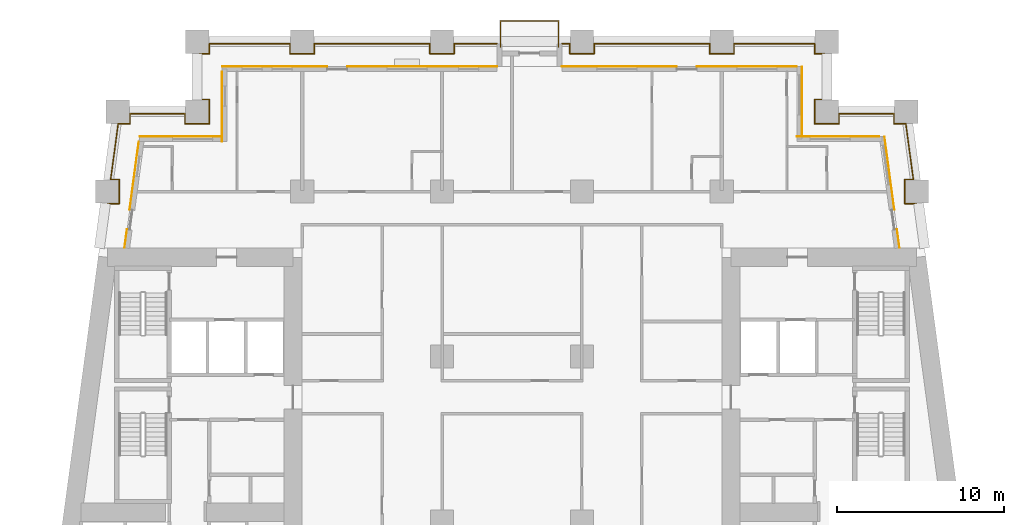
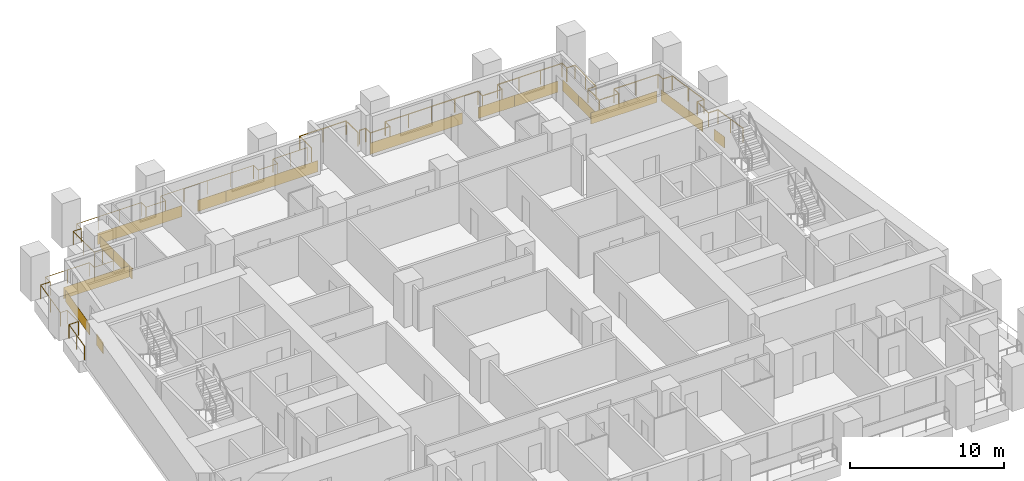
# One storey, part 11 of 12: 16 coverings, 3 railings.
"""IFC4 building model written with IfcOpenShell, lengths in metres."""

from ifc_helpers import new_model, si_unit, direction, frame, origin, origin_2d, place, context, subcontext, project, spatial, rectangle, circle, extrude, material, layer, layer_set, type_object, element, save


model = new_model("IFC4")

# Units and contexts
model_context = context("Model", 3, precision=1e-05, world=origin(), true_north=direction((0.0, 1.0)))
body_context = subcontext(model_context, "Body", "Model", "MODEL_VIEW")
ifc_project = project(units=[si_unit("LENGTHUNIT", "METRE"), si_unit("AREAUNIT", "SQUARE_METRE"), si_unit("VOLUMEUNIT", "CUBIC_METRE"), si_unit("PLANEANGLEUNIT", "RADIAN"), si_unit("MASSUNIT", "GRAM", prefix="KILO")], contexts=[model_context])

# Site, building, storey
site_placement = place(None, origin())
site = spatial("IfcSite", under=ifc_project, at=site_placement, CompositionType="ELEMENT")
building_placement = place(site_placement, origin())
building = spatial("IfcBuilding", under=site, at=building_placement, Name="Candeia Pilgrim Tower and Theatre", CompositionType="ELEMENT")
storey_placement = place(building_placement, frame((0.0, 0.0, 42.5)))
storey = spatial("IfcBuildingStorey", under=building, at=storey_placement, Name="L07", CompositionType="ELEMENT", Elevation=42.5)

# Railings
ifc_material_1 = material(Name="Stainless steel balustrade", Category="steel")
railing_type = type_object("IfcRailingType", Name="G1 loggia guard 1100", PredefinedType="GUARDRAIL", material=ifc_material_1)
railing_1_placement = place(storey_placement, frame((88.758544921875, 132.449951171875, 0.0)))
element("IfcRailing", 1, at=railing_1_placement, inside=storey, type_object=railing_type, Name="Guard L07.2", PredefinedType="GUARDRAIL", context=body_context, shape_type="SweptSolid", body=[
    extrude(circle(Radius=0.02392578125, at=origin_2d()), frame((0.0, 0.0, 1.076171875), z_axis=(0.133439920495, 0.991056904329, 0.0), x_axis=(-0.991056904329, 0.133439920495, 0.0)), (0.0, 0.0, 1.0), 2.643798828125),
    extrude(circle(Radius=0.02392578125, at=origin_2d()), frame((0.352783203125, 2.6201171875, 1.076171875), z_axis=(1.0, 0.0, 0.0), x_axis=(0.0, 1.0, 0.0)), (0.0, 0.0, 1.0), 0.70703125),
    extrude(circle(Radius=0.02392578125, at=origin_2d()), frame((1.059814453125, 2.6201171875, 1.076171875), z_axis=(0.0, 1.0, 0.0), x_axis=(-1.0, 0.0, 0.0)), (0.0, 0.0, 1.0), 1.4599609375),
    extrude(circle(Radius=0.02392578125, at=origin_2d()), frame((1.059814453125, 4.080078125, 1.076171875), z_axis=(-1.0, 0.0, 0.0), x_axis=(0.0, -1.0, 0.0)), (0.0, 0.0, 1.0), 0.510498046875),
    extrude(circle(Radius=0.02392578125, at=origin_2d()), frame((0.54931640625, 4.080078125, 1.076171875), z_axis=(0.133364121373, 0.991067107279, 0.0), x_axis=(-0.991067107279, 0.133364121373, 0.0)), (0.0, 0.0, 1.0), 3.3701171875),
    extrude(circle(Radius=0.02392578125, at=origin_2d()), frame((0.998779296875, 7.420166015625, 1.076171875), z_axis=(1.0, 0.0, 0.0), x_axis=(0.0, 1.0, 0.0)), (0.0, 0.0, 1.0), 0.707275390625),
    extrude(circle(Radius=0.02392578125, at=origin_2d()), frame((1.7060546875, 7.420166015625, 1.076171875), z_axis=(0.0, 1.0, 0.0), x_axis=(-1.0, 0.0, 0.0)), (0.0, 0.0, 1.0), 0.60986328125),
    extrude(circle(Radius=0.02392578125, at=origin_2d()), frame((1.7060546875, 8.030029296875, 1.076171875), z_axis=(1.0, 0.0, 0.0), x_axis=(0.0, 1.0, 0.0)), (0.0, 0.0, 1.0), 3.305419921875),
    extrude(circle(Radius=0.02392578125, at=origin_2d()), frame((5.011474609375, 8.030029296875, 1.076171875), z_axis=(0.0, -1.0, 0.0), x_axis=(1.0, 0.0, 0.0)), (0.0, 0.0, 1.0), 0.60986328125),
    extrude(circle(Radius=0.02392578125, at=origin_2d()), frame((5.011474609375, 7.420166015625, 1.076171875), z_axis=(1.0, 0.0, 0.0), x_axis=(0.0, 1.0, 0.0)), (0.0, 0.0, 1.0), 1.4599609375),
    extrude(circle(Radius=0.02392578125, at=origin_2d()), frame((6.471435546875, 7.420166015625, 1.076171875), z_axis=(0.0, 1.0, 0.0), x_axis=(-1.0, 0.0, 0.0)), (0.0, 0.0, 1.0), 1.4599609375),
    extrude(circle(Radius=0.02392578125, at=origin_2d()), frame((6.471435546875, 8.880126953125, 1.076171875), z_axis=(-1.0, 0.0, 0.0), x_axis=(0.0, -1.0, 0.0)), (0.0, 0.0, 1.0), 0.60986328125),
    extrude(circle(Radius=0.02392578125, at=origin_2d()), frame((5.861572265625, 8.880126953125, 1.076171875), z_axis=(0.0, 1.0, 0.0), x_axis=(-1.0, 0.0, 0.0)), (0.0, 0.0, 1.0), 2.739990234375),
    extrude(circle(Radius=0.02392578125, at=origin_2d()), frame((5.861572265625, 11.6201171875, 1.076171875), z_axis=(1.0, 0.0, 0.0), x_axis=(0.0, 1.0, 0.0)), (0.0, 0.0, 1.0), 0.60986328125),
    extrude(circle(Radius=0.02392578125, at=origin_2d()), frame((6.471435546875, 11.6201171875, 1.076171875), z_axis=(0.0, 1.0, 0.0), x_axis=(-1.0, 0.0, 0.0)), (0.0, 0.0, 1.0), 0.60986328125),
    extrude(circle(Radius=0.02392578125, at=origin_2d()), frame((6.471435546875, 12.22998046875, 1.076171875), z_axis=(1.0, 0.0, 0.0), x_axis=(0.0, 1.0, 0.0)), (0.0, 0.0, 1.0), 4.840087890625),
    extrude(circle(Radius=0.02392578125, at=origin_2d()), frame((11.3115234375, 12.22998046875, 1.076171875), z_axis=(0.0, -1.0, 0.0), x_axis=(1.0, 0.0, 0.0)), (0.0, 0.0, 1.0), 0.60986328125),
    extrude(circle(Radius=0.02392578125, at=origin_2d()), frame((11.3115234375, 11.6201171875, 1.076171875), z_axis=(1.0, 0.0, 0.0), x_axis=(0.0, 1.0, 0.0)), (0.0, 0.0, 1.0), 1.4599609375),
    extrude(circle(Radius=0.02392578125, at=origin_2d()), frame((12.771484375, 11.6201171875, 1.076171875), z_axis=(0.0, 1.0, 0.0), x_axis=(-1.0, 0.0, 0.0)), (0.0, 0.0, 1.0), 0.60986328125),
    extrude(circle(Radius=0.02392578125, at=origin_2d()), frame((12.771484375, 12.22998046875, 1.076171875), z_axis=(1.0, 0.0, 0.0), x_axis=(0.0, 1.0, 0.0)), (0.0, 0.0, 1.0), 6.93994140625),
    extrude(circle(Radius=0.02392578125, at=origin_2d()), frame((19.71142578125, 12.22998046875, 1.076171875), z_axis=(0.0, -1.0, 0.0), x_axis=(1.0, 0.0, 0.0)), (0.0, 0.0, 1.0), 0.60986328125),
    extrude(circle(Radius=0.02392578125, at=origin_2d()), frame((19.71142578125, 11.6201171875, 1.076171875), z_axis=(1.0, 0.0, 0.0), x_axis=(0.0, 1.0, 0.0)), (0.0, 0.0, 1.0), 1.4599609375),
    extrude(circle(Radius=0.02392578125, at=origin_2d()), frame((21.17138671875, 11.6201171875, 1.076171875), z_axis=(0.0, 1.0, 0.0), x_axis=(-1.0, 0.0, 0.0)), (0.0, 0.0, 1.0), 0.60986328125),
    extrude(circle(Radius=0.02392578125, at=origin_2d()), frame((21.17138671875, 12.22998046875, 1.076171875), z_axis=(1.0, 0.0, 0.0), x_axis=(0.0, 1.0, 0.0)), (0.0, 0.0, 1.0), 2.570068359375),
    extrude(circle(Radius=0.02099609375, at=origin_2d()), origin(), (0.0, 0.0, 1.0), 1.052001953125),
    extrude(circle(Radius=0.02099609375, at=origin_2d()), frame((0.17626953125, 1.31005859375, 0.0)), (0.0, 0.0, 1.0), 1.052001953125),
    extrude(circle(Radius=0.02099609375, at=origin_2d()), frame((0.352783203125, 2.6201171875, 0.0)), (0.0, 0.0, 1.0), 1.052001953125),
    extrude(circle(Radius=0.02099609375, at=origin_2d()), frame((1.059814453125, 2.6201171875, 0.0)), (0.0, 0.0, 1.0), 1.052001953125),
    extrude(circle(Radius=0.02099609375, at=origin_2d()), frame((1.059814453125, 4.080078125, 0.0)), (0.0, 0.0, 1.0), 1.052001953125),
    extrude(circle(Radius=0.02099609375, at=origin_2d()), frame((0.54931640625, 4.080078125, 0.0)), (0.0, 0.0, 1.0), 1.052001953125),
    extrude(circle(Radius=0.02099609375, at=origin_2d()), frame((0.77392578125, 5.75, 0.0)), (0.0, 0.0, 1.0), 1.052001953125),
    extrude(circle(Radius=0.02099609375, at=origin_2d()), frame((0.998779296875, 7.420166015625, 0.0)), (0.0, 0.0, 1.0), 1.052001953125),
    extrude(circle(Radius=0.02099609375, at=origin_2d()), frame((1.7060546875, 7.420166015625, 0.0)), (0.0, 0.0, 1.0), 1.052001953125),
    extrude(circle(Radius=0.02099609375, at=origin_2d()), frame((1.7060546875, 8.030029296875, 0.0)), (0.0, 0.0, 1.0), 1.052001953125),
    extrude(circle(Radius=0.02099609375, at=origin_2d()), frame((3.35888671875, 8.030029296875, 0.0)), (0.0, 0.0, 1.0), 1.052001953125),
    extrude(circle(Radius=0.02099609375, at=origin_2d()), frame((5.011474609375, 8.030029296875, 0.0)), (0.0, 0.0, 1.0), 1.052001953125),
    extrude(circle(Radius=0.02099609375, at=origin_2d()), frame((5.011474609375, 7.420166015625, 0.0)), (0.0, 0.0, 1.0), 1.052001953125),
    extrude(circle(Radius=0.02099609375, at=origin_2d()), frame((6.471435546875, 7.420166015625, 0.0)), (0.0, 0.0, 1.0), 1.052001953125),
    extrude(circle(Radius=0.02099609375, at=origin_2d()), frame((6.471435546875, 8.880126953125, 0.0)), (0.0, 0.0, 1.0), 1.052001953125),
    extrude(circle(Radius=0.02099609375, at=origin_2d()), frame((5.861572265625, 8.880126953125, 0.0)), (0.0, 0.0, 1.0), 1.052001953125),
    extrude(circle(Radius=0.02099609375, at=origin_2d()), frame((5.861572265625, 10.25, 0.0)), (0.0, 0.0, 1.0), 1.052001953125),
    extrude(circle(Radius=0.02099609375, at=origin_2d()), frame((5.861572265625, 11.6201171875, 0.0)), (0.0, 0.0, 1.0), 1.052001953125),
    extrude(circle(Radius=0.02099609375, at=origin_2d()), frame((6.471435546875, 11.6201171875, 0.0)), (0.0, 0.0, 1.0), 1.052001953125),
    extrude(circle(Radius=0.02099609375, at=origin_2d()), frame((6.471435546875, 12.22998046875, 0.0)), (0.0, 0.0, 1.0), 1.052001953125),
    extrude(circle(Radius=0.02099609375, at=origin_2d()), frame((8.084716796875, 12.22998046875, 0.0)), (0.0, 0.0, 1.0), 1.052001953125),
    extrude(circle(Radius=0.02099609375, at=origin_2d()), frame((9.6982421875, 12.22998046875, 0.0)), (0.0, 0.0, 1.0), 1.052001953125),
    extrude(circle(Radius=0.02099609375, at=origin_2d()), frame((11.3115234375, 12.22998046875, 0.0)), (0.0, 0.0, 1.0), 1.052001953125),
    extrude(circle(Radius=0.02099609375, at=origin_2d()), frame((11.3115234375, 11.6201171875, 0.0)), (0.0, 0.0, 1.0), 1.052001953125),
    extrude(circle(Radius=0.02099609375, at=origin_2d()), frame((12.771484375, 11.6201171875, 0.0)), (0.0, 0.0, 1.0), 1.052001953125),
    extrude(circle(Radius=0.02099609375, at=origin_2d()), frame((12.771484375, 12.22998046875, 0.0)), (0.0, 0.0, 1.0), 1.052001953125),
    extrude(circle(Radius=0.02099609375, at=origin_2d()), frame((14.50634765625, 12.22998046875, 0.0)), (0.0, 0.0, 1.0), 1.052001953125),
    extrude(circle(Radius=0.02099609375, at=origin_2d()), frame((16.241455078125, 12.22998046875, 0.0)), (0.0, 0.0, 1.0), 1.052001953125),
    extrude(circle(Radius=0.02099609375, at=origin_2d()), frame((17.9765625, 12.22998046875, 0.0)), (0.0, 0.0, 1.0), 1.052001953125),
    extrude(circle(Radius=0.02099609375, at=origin_2d()), frame((19.71142578125, 12.22998046875, 0.0)), (0.0, 0.0, 1.0), 1.052001953125),
    extrude(circle(Radius=0.02099609375, at=origin_2d()), frame((19.71142578125, 11.6201171875, 0.0)), (0.0, 0.0, 1.0), 1.052001953125),
    extrude(circle(Radius=0.02099609375, at=origin_2d()), frame((21.17138671875, 11.6201171875, 0.0)), (0.0, 0.0, 1.0), 1.052001953125),
    extrude(circle(Radius=0.02099609375, at=origin_2d()), frame((21.17138671875, 12.22998046875, 0.0)), (0.0, 0.0, 1.0), 1.052001953125),
    extrude(circle(Radius=0.02099609375, at=origin_2d()), frame((22.45654296875, 12.22998046875, 0.0)), (0.0, 0.0, 1.0), 1.052001953125),
    extrude(circle(Radius=0.02099609375, at=origin_2d()), frame((23.741455078125, 12.22998046875, 0.0)), (0.0, 0.0, 1.0), 1.052001953125),
])
railing_2_placement = place(storey_placement, frame((116.39990234375, 144.679931640625, 0.0)))
element("IfcRailing", 2, at=railing_2_placement, inside=storey, type_object=railing_type, Name="Guard L07.3", PredefinedType="GUARDRAIL", context=body_context, shape_type="SweptSolid", body=[
    extrude(circle(Radius=0.02392578125, at=origin_2d()), frame((0.0, 0.0, 1.076171875), z_axis=(1.0, 0.0, 0.0), x_axis=(0.0, 1.0, 0.0)), (0.0, 0.0, 1.0), 0.47021484375),
    extrude(circle(Radius=0.02392578125, at=origin_2d()), frame((0.47021484375, 0.0, 1.076171875), z_axis=(0.0, -1.0, 0.0), x_axis=(1.0, 0.0, 0.0)), (0.0, 0.0, 1.0), 0.60986328125),
    extrude(circle(Radius=0.02392578125, at=origin_2d()), frame((0.47021484375, -0.60986328125, 1.076171875), z_axis=(1.0, 0.0, 0.0), x_axis=(0.0, 1.0, 0.0)), (0.0, 0.0, 1.0), 1.4599609375),
    extrude(circle(Radius=0.02392578125, at=origin_2d()), frame((1.93017578125, -0.60986328125, 1.076171875), z_axis=(0.0, 1.0, 0.0), x_axis=(-1.0, 0.0, 0.0)), (0.0, 0.0, 1.0), 0.60986328125),
    extrude(circle(Radius=0.02392578125, at=origin_2d()), frame((1.93017578125, 0.0, 1.076171875), z_axis=(1.0, 0.0, 0.0), x_axis=(0.0, 1.0, 0.0)), (0.0, 0.0, 1.0), 6.93994140625),
    extrude(circle(Radius=0.02392578125, at=origin_2d()), frame((8.8701171875, 0.0, 1.076171875), z_axis=(0.0, -1.0, 0.0), x_axis=(1.0, 0.0, 0.0)), (0.0, 0.0, 1.0), 0.60986328125),
    extrude(circle(Radius=0.02392578125, at=origin_2d()), frame((8.8701171875, -0.60986328125, 1.076171875), z_axis=(1.0, 0.0, 0.0), x_axis=(0.0, 1.0, 0.0)), (0.0, 0.0, 1.0), 1.4599609375),
    extrude(circle(Radius=0.02392578125, at=origin_2d()), frame((10.330078125, -0.60986328125, 1.076171875), z_axis=(0.0, 1.0, 0.0), x_axis=(-1.0, 0.0, 0.0)), (0.0, 0.0, 1.0), 0.60986328125),
    extrude(circle(Radius=0.02392578125, at=origin_2d()), frame((10.330078125, 0.0, 1.076171875), z_axis=(1.0, 0.0, 0.0), x_axis=(0.0, 1.0, 0.0)), (0.0, 0.0, 1.0), 4.840087890625),
    extrude(circle(Radius=0.02392578125, at=origin_2d()), frame((15.170166015625, 0.0, 1.076171875), z_axis=(0.0, -1.0, 0.0), x_axis=(1.0, 0.0, 0.0)), (0.0, 0.0, 1.0), 0.60986328125),
    extrude(circle(Radius=0.02392578125, at=origin_2d()), frame((15.170166015625, -0.60986328125, 1.076171875), z_axis=(1.0, 0.0, 0.0), x_axis=(0.0, 1.0, 0.0)), (0.0, 0.0, 1.0), 0.60986328125),
    extrude(circle(Radius=0.02392578125, at=origin_2d()), frame((15.780029296875, -0.60986328125, 1.076171875), z_axis=(0.0, -1.0, 0.0), x_axis=(1.0, 0.0, 0.0)), (0.0, 0.0, 1.0), 2.739990234375),
    extrude(circle(Radius=0.02392578125, at=origin_2d()), frame((15.780029296875, -3.349853515625, 1.076171875), z_axis=(-1.0, 0.0, 0.0), x_axis=(0.0, -1.0, 0.0)), (0.0, 0.0, 1.0), 0.60986328125),
    extrude(circle(Radius=0.02392578125, at=origin_2d()), frame((15.170166015625, -3.349853515625, 1.076171875), z_axis=(0.0, -1.0, 0.0), x_axis=(1.0, 0.0, 0.0)), (0.0, 0.0, 1.0), 1.4599609375),
    extrude(circle(Radius=0.02392578125, at=origin_2d()), frame((15.170166015625, -4.809814453125, 1.076171875), z_axis=(1.0, 0.0, 0.0), x_axis=(0.0, 1.0, 0.0)), (0.0, 0.0, 1.0), 1.4599609375),
    extrude(circle(Radius=0.02392578125, at=origin_2d()), frame((16.630126953125, -4.809814453125, 1.076171875), z_axis=(0.0, 1.0, 0.0), x_axis=(-1.0, 0.0, 0.0)), (0.0, 0.0, 1.0), 0.60986328125),
    extrude(circle(Radius=0.02392578125, at=origin_2d()), frame((16.630126953125, -4.199951171875, 1.076171875), z_axis=(1.0, 0.0, 0.0), x_axis=(0.0, 1.0, 0.0)), (0.0, 0.0, 1.0), 3.305419921875),
    extrude(circle(Radius=0.02392578125, at=origin_2d()), frame((19.935546875, -4.199951171875, 1.076171875), z_axis=(0.0, -1.0, 0.0), x_axis=(1.0, 0.0, 0.0)), (0.0, 0.0, 1.0), 0.60986328125),
    extrude(circle(Radius=0.02392578125, at=origin_2d()), frame((19.935546875, -4.809814453125, 1.076171875), z_axis=(1.0, 0.0, 0.0), x_axis=(0.0, 1.0, 0.0)), (0.0, 0.0, 1.0), 0.70703125),
    extrude(circle(Radius=0.02392578125, at=origin_2d()), frame((20.642578125, -4.809814453125, 1.076171875), z_axis=(0.133435273035, -0.991057530071, 0.0), x_axis=(0.991057530071, 0.133435273035, 0.0)), (0.0, 0.0, 1.0), 3.3701171875),
    extrude(circle(Radius=0.02392578125, at=origin_2d()), frame((21.09228515625, -8.14990234375, 1.076171875), z_axis=(-1.0, 0.0, 0.0), x_axis=(0.0, -1.0, 0.0)), (0.0, 0.0, 1.0), 0.5107421875),
    extrude(circle(Radius=0.02392578125, at=origin_2d()), frame((20.58154296875, -8.14990234375, 1.076171875), z_axis=(0.0, -1.0, 0.0), x_axis=(1.0, 0.0, 0.0)), (0.0, 0.0, 1.0), 1.4599609375),
    extrude(circle(Radius=0.02392578125, at=origin_2d()), frame((20.58154296875, -9.60986328125, 1.076171875), z_axis=(1.0, 0.0, 0.0), x_axis=(0.0, 1.0, 0.0)), (0.0, 0.0, 1.0), 0.707275390625),
    extrude(circle(Radius=0.02392578125, at=origin_2d()), frame((21.288818359375, -9.60986328125, 1.076171875), z_axis=(0.133439920495, -0.991056904329, 0.0), x_axis=(0.991056904329, 0.133439920495, 0.0)), (0.0, 0.0, 1.0), 2.643798828125),
    extrude(circle(Radius=0.02099609375, at=origin_2d()), origin(), (0.0, 0.0, 1.0), 1.052001953125),
    extrude(circle(Radius=0.02099609375, at=origin_2d()), frame((0.47021484375, 0.0, 0.0)), (0.0, 0.0, 1.0), 1.052001953125),
    extrude(circle(Radius=0.02099609375, at=origin_2d()), frame((0.47021484375, -0.60986328125, 0.0)), (0.0, 0.0, 1.0), 1.052001953125),
    extrude(circle(Radius=0.02099609375, at=origin_2d()), frame((1.93017578125, -0.60986328125, 0.0)), (0.0, 0.0, 1.0), 1.052001953125),
    extrude(circle(Radius=0.02099609375, at=origin_2d()), frame((1.93017578125, 0.0, 0.0)), (0.0, 0.0, 1.0), 1.052001953125),
    extrude(circle(Radius=0.02099609375, at=origin_2d()), frame((3.6650390625, 0.0, 0.0)), (0.0, 0.0, 1.0), 1.052001953125),
    extrude(circle(Radius=0.02099609375, at=origin_2d()), frame((5.400146484375, 0.0, 0.0)), (0.0, 0.0, 1.0), 1.052001953125),
    extrude(circle(Radius=0.02099609375, at=origin_2d()), frame((7.13525390625, 0.0, 0.0)), (0.0, 0.0, 1.0), 1.052001953125),
    extrude(circle(Radius=0.02099609375, at=origin_2d()), frame((8.8701171875, 0.0, 0.0)), (0.0, 0.0, 1.0), 1.052001953125),
    extrude(circle(Radius=0.02099609375, at=origin_2d()), frame((8.8701171875, -0.60986328125, 0.0)), (0.0, 0.0, 1.0), 1.052001953125),
    extrude(circle(Radius=0.02099609375, at=origin_2d()), frame((10.330078125, -0.60986328125, 0.0)), (0.0, 0.0, 1.0), 1.052001953125),
    extrude(circle(Radius=0.02099609375, at=origin_2d()), frame((10.330078125, 0.0, 0.0)), (0.0, 0.0, 1.0), 1.052001953125),
    extrude(circle(Radius=0.02099609375, at=origin_2d()), frame((11.943359375, 0.0, 0.0)), (0.0, 0.0, 1.0), 1.052001953125),
    extrude(circle(Radius=0.02099609375, at=origin_2d()), frame((13.556884765625, 0.0, 0.0)), (0.0, 0.0, 1.0), 1.052001953125),
    extrude(circle(Radius=0.02099609375, at=origin_2d()), frame((15.170166015625, 0.0, 0.0)), (0.0, 0.0, 1.0), 1.052001953125),
    extrude(circle(Radius=0.02099609375, at=origin_2d()), frame((15.170166015625, -0.60986328125, 0.0)), (0.0, 0.0, 1.0), 1.052001953125),
    extrude(circle(Radius=0.02099609375, at=origin_2d()), frame((15.780029296875, -0.60986328125, 0.0)), (0.0, 0.0, 1.0), 1.052001953125),
    extrude(circle(Radius=0.02099609375, at=origin_2d()), frame((15.780029296875, -1.97998046875, 0.0)), (0.0, 0.0, 1.0), 1.052001953125),
    extrude(circle(Radius=0.02099609375, at=origin_2d()), frame((15.780029296875, -3.349853515625, 0.0)), (0.0, 0.0, 1.0), 1.052001953125),
    extrude(circle(Radius=0.02099609375, at=origin_2d()), frame((15.170166015625, -3.349853515625, 0.0)), (0.0, 0.0, 1.0), 1.052001953125),
    extrude(circle(Radius=0.02099609375, at=origin_2d()), frame((15.170166015625, -4.809814453125, 0.0)), (0.0, 0.0, 1.0), 1.052001953125),
    extrude(circle(Radius=0.02099609375, at=origin_2d()), frame((16.630126953125, -4.809814453125, 0.0)), (0.0, 0.0, 1.0), 1.052001953125),
    extrude(circle(Radius=0.02099609375, at=origin_2d()), frame((16.630126953125, -4.199951171875, 0.0)), (0.0, 0.0, 1.0), 1.052001953125),
    extrude(circle(Radius=0.02099609375, at=origin_2d()), frame((18.28271484375, -4.199951171875, 0.0)), (0.0, 0.0, 1.0), 1.052001953125),
    extrude(circle(Radius=0.02099609375, at=origin_2d()), frame((19.935546875, -4.199951171875, 0.0)), (0.0, 0.0, 1.0), 1.052001953125),
    extrude(circle(Radius=0.02099609375, at=origin_2d()), frame((19.935546875, -4.809814453125, 0.0)), (0.0, 0.0, 1.0), 1.052001953125),
    extrude(circle(Radius=0.02099609375, at=origin_2d()), frame((20.642578125, -4.809814453125, 0.0)), (0.0, 0.0, 1.0), 1.052001953125),
    extrude(circle(Radius=0.02099609375, at=origin_2d()), frame((20.867431640625, -6.47998046875, 0.0)), (0.0, 0.0, 1.0), 1.052001953125),
    extrude(circle(Radius=0.02099609375, at=origin_2d()), frame((21.09228515625, -8.14990234375, 0.0)), (0.0, 0.0, 1.0), 1.052001953125),
    extrude(circle(Radius=0.02099609375, at=origin_2d()), frame((20.58154296875, -8.14990234375, 0.0)), (0.0, 0.0, 1.0), 1.052001953125),
    extrude(circle(Radius=0.02099609375, at=origin_2d()), frame((20.58154296875, -9.60986328125, 0.0)), (0.0, 0.0, 1.0), 1.052001953125),
    extrude(circle(Radius=0.02099609375, at=origin_2d()), frame((21.288818359375, -9.60986328125, 0.0)), (0.0, 0.0, 1.0), 1.052001953125),
    extrude(circle(Radius=0.02099609375, at=origin_2d()), frame((21.46533203125, -10.919921875, 0.0)), (0.0, 0.0, 1.0), 1.052001953125),
    extrude(circle(Radius=0.02099609375, at=origin_2d()), frame((21.6416015625, -12.22998046875, 0.0)), (0.0, 0.0, 1.0), 1.052001953125),
])
railing_3_placement = place(storey_placement, frame((112.7099609375, 144.5, 0.0)))
element("IfcRailing", 3, at=railing_3_placement, inside=storey, type_object=railing_type, Name="Balcony guard L07", PredefinedType="GUARDRAIL", context=body_context, shape_type="SweptSolid", body=[
    extrude(circle(Radius=0.02392578125, at=origin_2d()), frame((0.0, 0.0, 1.076171875), z_axis=(0.0, 1.0, 0.0), x_axis=(-1.0, 0.0, 0.0)), (0.0, 0.0, 1.0), 1.5400390625),
    extrude(circle(Radius=0.02392578125, at=origin_2d()), frame((0.0, 1.5400390625, 1.076171875), z_axis=(1.0, 0.0, 0.0), x_axis=(0.0, 1.0, 0.0)), (0.0, 0.0, 1.0), 3.47998046875),
    extrude(circle(Radius=0.02392578125, at=origin_2d()), frame((3.47998046875, 1.5400390625, 1.076171875), z_axis=(0.0, -1.0, 0.0), x_axis=(1.0, 0.0, 0.0)), (0.0, 0.0, 1.0), 1.5400390625),
    extrude(circle(Radius=0.02099609375, at=origin_2d()), origin(), (0.0, 0.0, 1.0), 1.052001953125),
    extrude(circle(Radius=0.02099609375, at=origin_2d()), frame((0.0, 1.5400390625, 0.0)), (0.0, 0.0, 1.0), 1.052001953125),
    extrude(circle(Radius=0.02099609375, at=origin_2d()), frame((1.739990234375, 1.5400390625, 0.0)), (0.0, 0.0, 1.0), 1.052001953125),
    extrude(circle(Radius=0.02099609375, at=origin_2d()), frame((3.47998046875, 1.5400390625, 0.0)), (0.0, 0.0, 1.0), 1.052001953125),
    extrude(circle(Radius=0.02099609375, at=origin_2d()), frame((3.47998046875, 0.0, 0.0)), (0.0, 0.0, 1.0), 1.052001953125),
])

# Coverings
ifc_material_2 = material(Name="Glazed ceramic tile deep red")
ifc_layer_1 = layer(ifc_material_2, 0.02001953125)
ifc_layer_set_1 = layer_set([ifc_layer_1], Name="Glazed ceramic tile deep red")
covering_type_1 = type_object("IfcCoveringType", Name="Glazed ceramic tile deep red", PredefinedType="CLADDING", material=ifc_layer_set_1)
covering_1_placement = place(storey_placement, frame((132.976318359375, 139.110107421875, 0.0), z_axis=(0.0, 0.0, 1.0), x_axis=(-1.0, 0.0, 0.0)))
element("IfcCovering", 4, at=covering_1_placement, inside=storey, type_object=covering_type_1, Name="Tile cladding deep red L07", PredefinedType="CLADDING", context=body_context, shape_type="SweptSolid", body=[
    extrude(rectangle(XDim=4.95263671875, YDim=0.02001953125, at=origin_2d()), origin(), (0.0, 0.0, 1.0), 0.89990234375),
])
covering_2_placement = place(storey_placement, frame((130.81005859375, 142.25, 0.0), z_axis=(0.0, 0.0, 1.0), x_axis=(0.0, 1.0, 0.0)))
element("IfcCovering", 5, at=covering_2_placement, inside=storey, type_object=covering_type_1, Name="Tile cladding deep red L07", PredefinedType="CLADDING", context=body_context, shape_type="SweptSolid", body=[
    extrude(rectangle(XDim=2.10009765625, YDim=0.02001953125, at=origin_2d()), origin(), (0.0, 0.0, 1.0), 0.89990234375),
])
covering_3_placement = place(storey_placement, frame((128.840087890625, 143.31005859375, 0.0), z_axis=(0.0, 0.0, 1.0), x_axis=(-1.0, 0.0, 0.0)))
element("IfcCovering", 6, at=covering_3_placement, inside=storey, type_object=covering_type_1, Name="Tile cladding deep red L07", PredefinedType="CLADDING", context=body_context, shape_type="SweptSolid", body=[
    extrude(rectangle(XDim=3.280029296875, YDim=0.02001953125, at=origin_2d()), origin(), (0.0, 0.0, 1.0), 0.89990234375),
])
covering_4_placement = place(storey_placement, frame((104.550048828125, 143.31005859375, 0.0), z_axis=(0.0, 0.0, 1.0), x_axis=(-1.0, 0.0, 0.0)))
element("IfcCovering", 7, at=covering_4_placement, inside=storey, type_object=covering_type_1, Name="Tile cladding deep red L07", PredefinedType="CLADDING", context=body_context, shape_type="SweptSolid", body=[
    extrude(rectangle(XDim=2.10009765625, YDim=0.02001953125, at=origin_2d()), origin(), (0.0, 0.0, 1.0), 0.89990234375),
])
covering_5_placement = place(storey_placement, frame((99.14990234375, 143.31005859375, 0.0), z_axis=(0.0, 0.0, 1.0), x_axis=(-1.0, 0.0, 0.0)))
element("IfcCovering", 8, at=covering_5_placement, inside=storey, type_object=covering_type_1, Name="Tile cladding deep red L07", PredefinedType="CLADDING", context=body_context, shape_type="SweptSolid", body=[
    extrude(rectangle(XDim=6.300048828125, YDim=0.02001953125, at=origin_2d()), origin(), (0.0, 0.0, 1.0), 0.89990234375),
])
covering_6_placement = place(storey_placement, frame((95.989990234375, 142.090087890625, 0.0), z_axis=(0.0, 0.0, 1.0), x_axis=(0.0, -1.0, 0.0)))
element("IfcCovering", 9, at=covering_6_placement, inside=storey, type_object=covering_type_1, Name="Tile cladding deep red L07", PredefinedType="CLADDING", context=body_context, shape_type="SweptSolid", body=[
    extrude(rectangle(XDim=1.780029296875, YDim=0.02001953125, at=origin_2d()), origin(), (0.0, 0.0, 1.0), 0.89990234375),
])
covering_7_placement = place(storey_placement, frame((93.51318359375, 139.110107421875, 0.0), z_axis=(0.0, 0.0, 1.0), x_axis=(-1.0, 0.0, 0.0)))
element("IfcCovering", 10, at=covering_7_placement, inside=storey, type_object=covering_type_1, Name="Tile cladding deep red L07", PredefinedType="CLADDING", context=body_context, shape_type="SweptSolid", body=[
    extrude(rectangle(XDim=4.933837890625, YDim=0.02001953125, at=origin_2d()), origin(), (0.0, 0.0, 1.0), 0.89990234375),
])
ifc_material_3 = material(Name="Glazed ceramic tile red")
ifc_layer_2 = layer(ifc_material_3, 0.02001953125)
ifc_layer_set_2 = layer_set([ifc_layer_2], Name="Glazed ceramic tile red")
covering_type_2 = type_object("IfcCoveringType", Name="Glazed ceramic tile red", PredefinedType="CLADDING", material=ifc_layer_set_2)
covering_8_placement = place(storey_placement, frame((136.588623046875, 132.97412109375, 0.0), z_axis=(0.0, 0.0, 1.0), x_axis=(-0.133412012145, 0.991060661622, 0.0)))
element("IfcCovering", 11, at=covering_8_placement, inside=storey, type_object=covering_type_2, Name="Tile cladding red L07", PredefinedType="CLADDING", context=body_context, shape_type="SweptSolid", body=[
    extrude(rectangle(XDim=1.115234375, YDim=0.02001953125, at=origin_2d()), origin(), (0.0, 0.0, 1.0), 0.89990234375),
])
covering_9_placement = place(storey_placement, frame((136.058837890625, 136.90869140625, 0.0), z_axis=(0.0, 0.0, 1.0), x_axis=(-0.133412012145, 0.991060661622, 0.0)))
element("IfcCovering", 12, at=covering_9_placement, inside=storey, type_object=covering_type_2, Name="Tile cladding red L07", PredefinedType="CLADDING", context=body_context, shape_type="SweptSolid", body=[
    extrude(rectangle(XDim=4.4248046875, YDim=0.02001953125, at=origin_2d()), origin(), (0.0, 0.0, 1.0), 0.89990234375),
])
covering_10_placement = place(storey_placement, frame((130.81005859375, 140.159912109375, 0.0), z_axis=(0.0, 0.0, 1.0), x_axis=(0.0, 1.0, 0.0)))
element("IfcCovering", 13, at=covering_10_placement, inside=storey, type_object=covering_type_2, Name="Tile cladding red L07", PredefinedType="CLADDING", context=body_context, shape_type="SweptSolid", body=[
    extrude(rectangle(XDim=2.080078125, YDim=0.02001953125, at=origin_2d()), origin(), (0.0, 0.0, 1.0), 0.89990234375),
])
covering_11_placement = place(storey_placement, frame((125.85009765625, 143.31005859375, 0.0), z_axis=(0.0, 0.0, 1.0), x_axis=(-1.0, 0.0, 0.0)))
element("IfcCovering", 14, at=covering_11_placement, inside=storey, type_object=covering_type_2, Name="Tile cladding red L07", PredefinedType="CLADDING", context=body_context, shape_type="SweptSolid", body=[
    extrude(rectangle(XDim=2.699951171875, YDim=0.02001953125, at=origin_2d()), origin(), (0.0, 0.0, 1.0), 0.89990234375),
])
for number, where, z_axis, x_axis, name in (
    (15, (119.85009765625, 143.31005859375, 0.0), (0.0, 0.0, 1.0), (-1.0, 0.0, 0.0), "Tile cladding red L07"),
    (16, (109.050048828125, 143.31005859375, 0.0), (0.0, 0.0, 1.0), (-1.0, 0.0, 0.0), "Tile cladding red L07"),
):
    element("IfcCovering", number, at=place(storey_placement, frame(where, z_axis=z_axis, x_axis=x_axis)), inside=storey, type_object=covering_type_2, Name=name, PredefinedType="CLADDING", context=body_context, shape_type="SweptSolid", body=[
        extrude(rectangle(XDim=6.89990234375, YDim=0.02001953125, at=origin_2d()), origin(), (0.0, 0.0, 1.0), 0.89990234375),
    ])
covering_12_placement = place(storey_placement, frame((95.989990234375, 140.0, 0.0), z_axis=(0.0, 0.0, 1.0), x_axis=(0.0, -1.0, 0.0)))
element("IfcCovering", 17, at=covering_12_placement, inside=storey, type_object=covering_type_2, Name="Tile cladding red L07", PredefinedType="CLADDING", context=body_context, shape_type="SweptSolid", body=[
    extrude(rectangle(XDim=2.39990234375, YDim=0.02001953125, at=origin_2d()), origin(), (0.0, 0.0, 1.0), 0.89990234375),
])
covering_13_placement = place(storey_placement, frame((90.720947265625, 136.759521484375, 0.0), z_axis=(0.0, 0.0, 1.0), x_axis=(-0.133412012145, -0.991060661622, 0.0)))
element("IfcCovering", 18, at=covering_13_placement, inside=storey, type_object=covering_type_2, Name="Tile cladding red L07", PredefinedType="CLADDING", context=body_context, shape_type="SweptSolid", body=[
    extrude(rectangle(XDim=4.123779296875, YDim=0.02001953125, at=origin_2d()), origin(), (0.0, 0.0, 1.0), 0.89990234375),
])
covering_14_placement = place(storey_placement, frame((90.21142578125, 132.97412109375, 0.0), z_axis=(0.0, 0.0, 1.0), x_axis=(-0.133412012145, -0.991060661622, 0.0)))
element("IfcCovering", 19, at=covering_14_placement, inside=storey, type_object=covering_type_2, Name="Tile cladding red L07", PredefinedType="CLADDING", context=body_context, shape_type="SweptSolid", body=[
    extrude(rectangle(XDim=1.115234375, YDim=0.02001953125, at=origin_2d()), origin(), (0.0, 0.0, 1.0), 0.89990234375),
])

save(model, "model.ifc")
